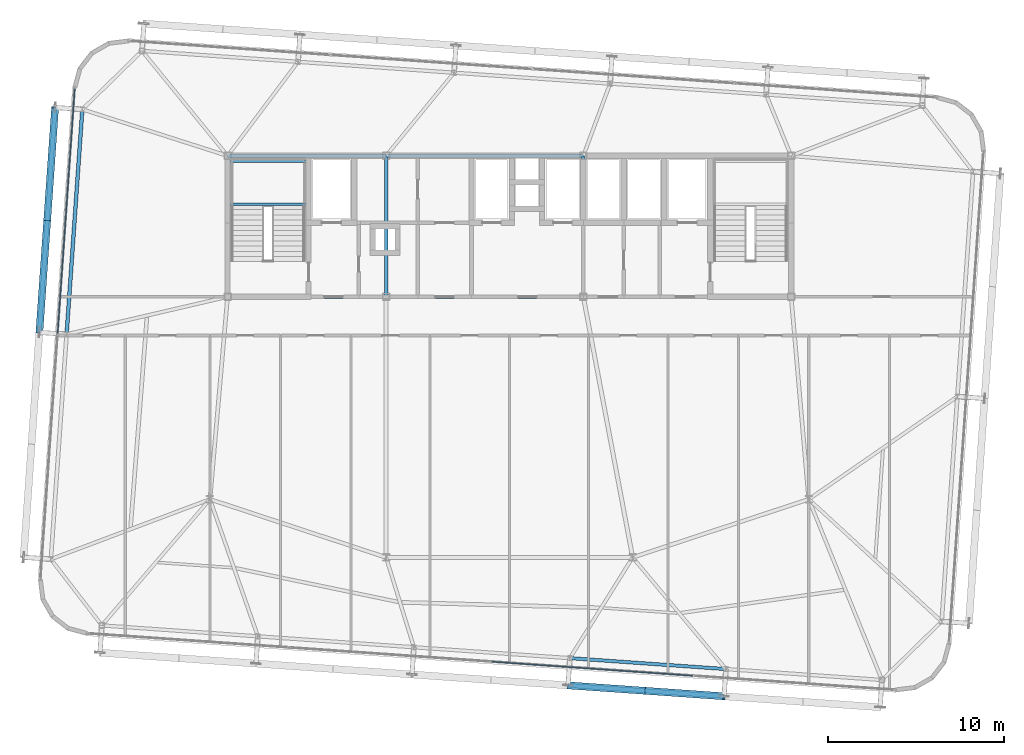
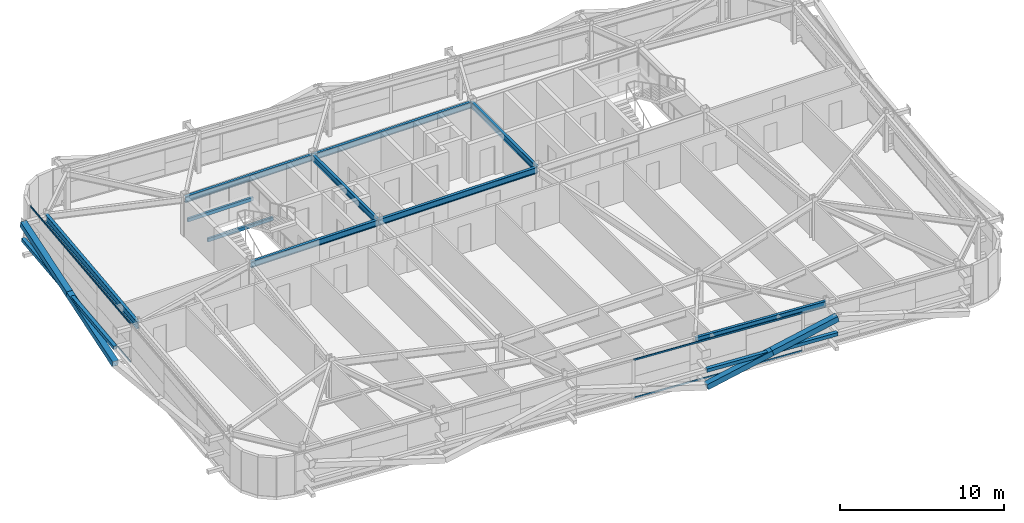
# One storey, part 12 of 39: 10 beams, 10 members, 2 elements without a shape of their own.
"""IFC4 building model written with IfcOpenShell, lengths in metres."""

import ifcopenshell
import ifcopenshell.guid

model = None  # the IFC model being written
_history = None  # IfcOwnerHistory: only IFC2X3 demands one
_inside = {}  # id of a spatial element -> (the spatial element, [elements in it])
_under = {}  # id of a project, library or spatial element -> (it, [spatial elements below it])
_declared = {}  # id of a project -> (the project, [libraries it declares])
_typed = {}  # id of a type object -> (the type object, [elements of that type])
_made_of = {}  # id of a material, layer set ... -> (it, [elements and type objects made of it])


def new_model(schema):
    """Start an empty IFC model of exactly this schema.

    Asked for "IFC4X3", IfcOpenShell would pick the latest addendum, in which some entities
    have other attributes; the version numbers below select the first issue.
    IFC2X3 requires an IfcOwnerHistory on every rooted entity: one is made here for all.
    """
    global model, _history
    if schema == "IFC4X3":
        model = ifcopenshell.file(schema_version=(4, 3, 0, 0))
    else:
        model = ifcopenshell.file(schema=schema)
    _inside.clear()
    _under.clear()
    _declared.clear()
    _typed.clear()
    _made_of.clear()
    _history = None
    if model.schema == "IFC2X3":
        org = make("IfcOrganization", Name="unknown")
        user = make(
            "IfcPersonAndOrganization",
            ThePerson=make("IfcPerson", FamilyName="unknown"),
            TheOrganization=org,
        )
        app = make(
            "IfcApplication",
            ApplicationDeveloper=org,
            Version="unknown",
            ApplicationFullName="unknown",
            ApplicationIdentifier="unknown",
        )
        _history = make(
            "IfcOwnerHistory",
            OwningUser=user,
            OwningApplication=app,
            ChangeAction="ADDED",
            CreationDate=0,
        )
    return model


def make(cls, **values):
    """One entity of the class cls with the attributes given. An attribute that is None is left unset."""
    return model.create_entity(
        cls, **{name: value for name, value in values.items() if value is not None}
    )


def rooted(cls, **values):
    """An entity with a GlobalId (a new one), such as an element, a storey or a relation."""
    return make(cls, GlobalId=ifcopenshell.guid.new(), OwnerHistory=_history, **values)


def si_unit(unit_type, name, prefix=None):
    """IfcSIUnit, for example si_unit("LENGTHUNIT", "METRE", prefix="MILLI")."""
    return make("IfcSIUnit", UnitType=unit_type, Prefix=prefix, Name=name)


def assignment(units):
    """IfcUnitAssignment: the units of a project."""
    return None if units is None else make("IfcUnitAssignment", Units=units)


def point(xyz):
    """IfcCartesianPoint."""
    return None if xyz is None else make("IfcCartesianPoint", Coordinates=xyz)


def direction(xyz):
    """IfcDirection."""
    return None if xyz is None else make("IfcDirection", DirectionRatios=xyz)


def frame(location, z_axis=None, x_axis=None):
    """IfcAxis2Placement3D, a coordinate frame: its origin and axes. An axis left out is left unset."""
    return make(
        "IfcAxis2Placement3D",
        Location=point(location),
        Axis=direction(z_axis),
        RefDirection=direction(x_axis),
    )


def frame_2d(location, x_axis=None):
    """IfcAxis2Placement2D, a coordinate frame in the plane: its origin and x axis."""
    return make(
        "IfcAxis2Placement2D", Location=point(location), RefDirection=direction(x_axis)
    )


def origin():
    """The frame at (0, 0, 0) with its axes left unset."""
    return frame((0.0, 0.0, 0.0))


def origin_2d():
    """The frame at (0, 0) in the plane with its x axis left unset."""
    return frame_2d((0.0, 0.0))


def place(relative_to, where):
    """IfcLocalPlacement: puts the frame where relative to a parent placement (None: the world)."""
    return make(
        "IfcLocalPlacement", PlacementRelTo=relative_to, RelativePlacement=where
    )


def context(
    kind, dimensions, precision=None, world=None, true_north=None, identifier=None
):
    """IfcGeometricRepresentationContext, for example the 3D "Model" context."""
    return make(
        "IfcGeometricRepresentationContext",
        ContextIdentifier=identifier,
        ContextType=kind,
        CoordinateSpaceDimension=dimensions,
        Precision=precision,
        WorldCoordinateSystem=world,
        TrueNorth=true_north,
    )


def subcontext(parent, identifier, kind, view, scale=None):
    """IfcGeometricRepresentationSubContext, for example "Body" below "Model"."""
    return make(
        "IfcGeometricRepresentationSubContext",
        ContextIdentifier=identifier,
        ContextType=kind,
        ParentContext=parent,
        TargetScale=scale,
        TargetView=view,
    )


def project(units=None, contexts=None):
    """IfcProject with its units and contexts."""
    return rooted(
        "IfcProject",
        Name="project",
        RepresentationContexts=contexts,
        UnitsInContext=assignment(units),
    )


def spatial(cls, under=None, at=None, **own):
    """A site, building, storey or space (cls), placed at a placement, below another one or the project."""
    s = rooted(cls, ObjectPlacement=at, **own)
    if under is not None:
        _under.setdefault(under.id(), (under, []))[1].append(s)
    return s


def profile(cls, at=None, kind="AREA", **sizes):
    """A parametric profile (cls). Its sizes go by their IFC names, for example OverallWidth=200.0."""
    return make(cls, ProfileType=kind, Position=at, **sizes)


def hollow_rectangle(**sizes):
    """IfcRectangleHollowProfileDef."""
    return profile("IfcRectangleHollowProfileDef", **sizes)


def i_section(**sizes):
    """IfcIShapeProfileDef."""
    return profile("IfcIShapeProfileDef", **sizes)


def extrude(swept, where, along, depth):
    """IfcExtrudedAreaSolid: the profile swept, set in the frame where, extruded along a direction by depth."""
    return make(
        "IfcExtrudedAreaSolid",
        SweptArea=swept,
        Position=where,
        ExtrudedDirection=direction(along),
        Depth=depth,
    )


def shape(context_of_items, identifier, shape_type, items):
    """IfcShapeRepresentation: the items that make up one representation, for example the "Body"."""
    return make(
        "IfcShapeRepresentation",
        ContextOfItems=context_of_items,
        RepresentationIdentifier=identifier,
        RepresentationType=shape_type,
        Items=items,
    )


def source(mapping_origin, context_of_items, identifier, shape_type, items):
    """IfcRepresentationMap: a shape defined once, which mapped items show again and again."""
    return make(
        "IfcRepresentationMap",
        MappingOrigin=mapping_origin,
        MappedRepresentation=shape(context_of_items, identifier, shape_type, items),
    )


def transform(
    local_origin,
    x_axis=None,
    y_axis=None,
    z_axis=None,
    scale=None,
    scale2=None,
    scale3=None,
    uniform=True,
):
    """IfcCartesianTransformationOperator3D, or its non-uniform kind. x_axis, y_axis, z_axis: its Axis1, 2, 3."""
    if uniform:
        return make(
            "IfcCartesianTransformationOperator3D",
            Axis1=direction(x_axis),
            Axis2=direction(y_axis),
            LocalOrigin=point(local_origin),
            Scale=scale,
            Axis3=direction(z_axis),
        )
    return make(
        "IfcCartesianTransformationOperator3DnonUniform",
        Axis1=direction(x_axis),
        Axis2=direction(y_axis),
        LocalOrigin=point(local_origin),
        Scale=scale,
        Axis3=direction(z_axis),
        Scale2=scale2,
        Scale3=scale3,
    )


def mapped(mapping_source, mapping_target):
    """IfcMappedItem: shows the shape of a source again, moved by a transform."""
    return make(
        "IfcMappedItem", MappingSource=mapping_source, MappingTarget=mapping_target
    )


def material(Name=None, Category=None):
    """IfcMaterial."""
    return make("IfcMaterial", Name=Name, Category=Category)


def layer(
    of_material, thickness, ventilated=None, Name=None, Category=None, Priority=None
):
    """IfcMaterialLayer: one layer of a wall or slab, of a material (None: an air gap)."""
    return make(
        "IfcMaterialLayer",
        Material=of_material,
        LayerThickness=thickness,
        IsVentilated=ventilated,
        Name=Name,
        Category=Category,
        Priority=Priority,
    )


def layer_set(layers, Name=None):
    """IfcMaterialLayerSet."""
    return make("IfcMaterialLayerSet", MaterialLayers=layers, LayerSetName=Name)


def material_profile(
    of_material, cross_section, Name=None, Category=None, Priority=None
):
    """IfcMaterialProfile: a cross section and its material."""
    return make(
        "IfcMaterialProfile",
        Name=Name,
        Material=of_material,
        Profile=cross_section,
        Priority=Priority,
        Category=Category,
    )


def profile_set(profiles, Name=None, composite=None):
    """IfcMaterialProfileSet."""
    return make(
        "IfcMaterialProfileSet",
        Name=Name,
        MaterialProfiles=profiles,
        CompositeProfile=composite,
    )


def made_of(thing, what):
    """Note that an element or type object is made of a material, layer set ...; save() writes the relation."""
    if what is not None:
        _made_of.setdefault(what.id(), (what, []))[1].append(thing)
    return thing


def type_object(cls, material=None, **own):
    """A type object (cls), such as IfcWallType, which elements share."""
    return made_of(rooted(cls, **own), material)


def element(
    cls,
    number,
    at=None,
    inside=None,
    cuts=None,
    type_object=None,
    material=None,
    context=None,
    identifier="Body",
    shape_type=None,
    held_by="IfcProductDefinitionShape",
    body=None,
    shapes=None,
    **own,
):
    """One element of the class cls, such as IfcWall. Its Tag is "e" and its number.

    at: its placement. inside: the storey or other place that contains it. cuts: it is an
    opening in that element (IfcRelVoidsElement). A single representation is given by context,
    identifier, shape_type and body (its items); several are given by shapes. held_by: the class
    of the entity that holds the representations. save() writes the other relations.
    """
    e = rooted(cls, Tag="e%d" % number, ObjectPlacement=at, **own)
    if body is not None:
        shapes = [shape(context, identifier, shape_type, body)]
    if shapes is not None:
        e.Representation = make(held_by, Representations=shapes)
    if inside is not None:
        _inside.setdefault(inside.id(), (inside, []))[1].append(e)
    if cuts is not None:
        rooted(
            "IfcRelVoidsElement", RelatingBuildingElement=cuts, RelatedOpeningElement=e
        )
    if type_object is not None:
        _typed.setdefault(type_object.id(), (type_object, []))[1].append(e)
    return made_of(e, material)


def aggregate(whole, parts):
    """IfcRelAggregates: a whole, such as a stair, and the parts it consists of."""
    return rooted("IfcRelAggregates", RelatingObject=whole, RelatedObjects=parts)


def save(model, path):
    """Write the relations noted so far, then the file.

    IfcRelAggregates (storeys below a building ...), IfcRelContainedInSpatialStructure (elements
    in a storey), IfcRelDefinesByType, IfcRelAssociatesMaterial and IfcRelDeclares: one each for
    every whole, place, type object, material and project.
    """
    for whole, parts in _under.values():
        aggregate(whole, parts)
    for where, things in _inside.values():
        rooted(
            "IfcRelContainedInSpatialStructure",
            RelatedElements=things,
            RelatingStructure=where,
        )
    for kind, things in _typed.values():
        rooted("IfcRelDefinesByType", RelatedObjects=things, RelatingType=kind)
    for what, things in _made_of.values():
        rooted("IfcRelAssociatesMaterial", RelatedObjects=things, RelatingMaterial=what)
    for by, libraries in _declared.values():
        rooted("IfcRelDeclares", RelatingContext=by, RelatedDefinitions=libraries)
    model.write(path)


model = new_model("IFC4")

# Units and contexts
model_context = context("Model", 3, precision=1e-05, world=origin(), true_north=direction((0.0, 1.0)))
body_context = subcontext(model_context, "Body", "Model", "MODEL_VIEW")
ifc_project = project(units=[si_unit("LENGTHUNIT", "METRE"), si_unit("AREAUNIT", "SQUARE_METRE"), si_unit("VOLUMEUNIT", "CUBIC_METRE"), si_unit("PLANEANGLEUNIT", "RADIAN"), si_unit("MASSUNIT", "GRAM", prefix="KILO")], contexts=[model_context])

# Site, building, storey
site_placement = place(None, origin())
site = spatial("IfcSite", under=ifc_project, at=site_placement, CompositionType="ELEMENT")
building_placement = place(site_placement, origin())
building = spatial("IfcBuilding", under=site, at=building_placement, Name="Taldren Reach Tower", CompositionType="ELEMENT")
storey_placement = place(building_placement, frame((0.0, 0.0, 161.35009765625)))
storey = spatial("IfcBuildingStorey", under=building, at=storey_placement, Name="L49", CompositionType="ELEMENT", Elevation=161.35009765625)

# Beams
ifc_material_1 = material(Name="Steel Gr 350 (350PLUS)", Category="steel")
ifc_material_profile_1 = material_profile(ifc_material_1, i_section(OverallWidth=0.19091796875, OverallDepth=0.4599609375, WebThickness=0.010009765625, FlangeThickness=0.01611328125, at=origin_2d()), Name="460UB82.1")
ifc_profile_set_1 = profile_set([ifc_material_profile_1], Name="Steel Gr 350 (350PLUS)")
beam_type_1 = type_object("IfcBeamType", Name="BM-UB460A", PredefinedType="BEAM", material=ifc_profile_set_1)
shared_shape_1 = source(origin(), body_context, "Body", "SweptSolid", [
    extrude(i_section(OverallWidth=0.19091796875, OverallDepth=0.4599609375, WebThickness=0.010009765625, FlangeThickness=0.01611328125, at=origin_2d()), origin(), (0.0, 0.0, 1.0), 9.0),
])
for number, where, z_axis, x_axis, name in (
    (1, (19.0, 24.0, 2.639892578125), (1.0, 0.0, 0.0), (0.0, 1.0, 0.0), "Core-spine girder L49-SP01"),
    (2, (19.0, 32.0, 2.639892578125), (1.0, 0.0, 0.0), (0.0, 1.0, 0.0), "Core-spine girder L49-SP04"),
):
    element("IfcBeam", number, at=place(storey_placement, frame(where, z_axis=z_axis, x_axis=x_axis)), inside=storey, type_object=beam_type_1, Name=name, PredefinedType="BEAM", context=body_context, shape_type="MappedRepresentation", body=[
        mapped(shared_shape_1, transform((0.0, 0.0, 0.0), scale=1.0)),
    ])
shared_shape_2 = source(origin(), body_context, "Body", "SweptSolid", [
    extrude(i_section(OverallWidth=0.19091796875, OverallDepth=0.4599609375, WebThickness=0.010009765625, FlangeThickness=0.01611328125, at=origin_2d()), origin(), (0.0, 0.0, 1.0), 11.199951171875),
])
for number, where, z_axis, x_axis, name in (
    (3, (28.0, 24.0, 2.639892578125), (1.0, 0.0, 0.0), (0.0, 1.0, 0.0), "Core-spine girder L49-SP02"),
    (4, (28.0, 32.0, 2.639892578125), (1.0, 0.0, 0.0), (0.0, 1.0, 0.0), "Core-spine girder L49-SP05"),
):
    element("IfcBeam", number, at=place(storey_placement, frame(where, z_axis=z_axis, x_axis=x_axis)), inside=storey, type_object=beam_type_1, Name=name, PredefinedType="BEAM", context=body_context, shape_type="MappedRepresentation", body=[
        mapped(shared_shape_2, transform((0.0, 0.0, 0.0), scale=1.0)),
    ])
shared_shape_3 = source(origin(), body_context, "Body", "SweptSolid", [
    extrude(i_section(OverallWidth=0.19091796875, OverallDepth=0.4599609375, WebThickness=0.010009765625, FlangeThickness=0.01611328125, at=origin_2d()), origin(), (0.0, 0.0, 1.0), 8.0),
])
for number, where, z_axis, x_axis, name in (
    (5, (28.0, 24.0, 2.639892578125), (0.0, 1.0, 0.0), (-1.0, 0.0, 0.0), "Core-spine girder L49-SP07"),
    (6, (39.199951171875, 24.0, 2.639892578125), (0.0, 1.0, 0.0), (-1.0, 0.0, 0.0), "Core-spine girder L49-SP08"),
):
    element("IfcBeam", number, at=place(storey_placement, frame(where, z_axis=z_axis, x_axis=x_axis)), inside=storey, type_object=beam_type_1, Name=name, PredefinedType="BEAM", context=body_context, shape_type="MappedRepresentation", body=[
        mapped(shared_shape_3, transform((0.0, 0.0, 0.0), scale=1.0)),
    ])
ifc_material_profile_2 = material_profile(ifc_material_1, i_section(OverallWidth=0.18994140625, OverallDepth=0.4541015625, WebThickness=0.008544921875, FlangeThickness=0.0126953125, at=origin_2d()), Name="460UB67.1")
ifc_profile_set_2 = profile_set([ifc_material_profile_2], Name="Steel Gr 350 (350PLUS)")
beam_type_2 = type_object("IfcBeamType", Name="SP-UB460B", PredefinedType="SPANDREL", material=ifc_profile_set_2)
shared_shape_4 = source(origin(), body_context, "Body", "SweptSolid", [
    extrude(i_section(OverallWidth=0.18994140625, OverallDepth=0.4541015625, WebThickness=0.008544921875, FlangeThickness=0.0126953125, at=origin_2d()), origin(), (0.0, 0.0, 1.0), 8.880126953125),
])
beam_1_placement = place(storey_placement, frame((38.438720703125, 3.480224609375, 2.642822265625), z_axis=(0.997562566276, -0.06977769246, 0.0), x_axis=(0.06977769246, 0.997562566276, 0.0)))
element("IfcBeam", 7, at=beam_1_placement, inside=storey, type_object=beam_type_2, Name="Perimeter spandrel B3 S4-S5 L49", PredefinedType="SPANDREL", context=body_context, shape_type="MappedRepresentation", body=[
    mapped(shared_shape_4, transform((0.0, 0.0, 0.0), scale=1.0)),
])
ifc_material_profile_3 = material_profile(ifc_material_1, i_section(OverallWidth=0.208984375, OverallDepth=0.528076171875, WebThickness=0.009521484375, FlangeThickness=0.01318359375, at=origin_2d()), Name="530UB82.0")
ifc_profile_set_3 = profile_set([ifc_material_profile_3], Name="Steel Gr 350 (350PLUS)")
beam_type_3 = type_object("IfcBeamType", Name="SP-UB530B", PredefinedType="SPANDREL", material=ifc_profile_set_3)
shared_shape_5 = source(origin(), body_context, "Body", "SweptSolid", [
    extrude(i_section(OverallWidth=0.208984375, OverallDepth=0.528076171875, WebThickness=0.009521484375, FlangeThickness=0.01318359375, at=origin_2d()), origin(), (0.0, 0.0, 1.0), 12.800048828125),
])
beam_2_placement = place(storey_placement, frame((10.754638671875, 34.63720703125, 2.60595703125), z_axis=(-0.069751876777, -0.9975643717, 0.0), x_axis=(0.9975643717, -0.069751876777, 0.0)))
element("IfcBeam", 8, at=beam_2_placement, inside=storey, type_object=beam_type_3, Name="Perimeter spandrel B3 W3-W2 L49", PredefinedType="SPANDREL", context=body_context, shape_type="MappedRepresentation", body=[
    mapped(shared_shape_5, transform((0.0, 0.0, 0.0), scale=1.0)),
])

# Members
ifc_material_2 = material(Name="Steel Gr 350 (C350L0)", Category="steel")
ifc_material_profile_4 = material_profile(ifc_material_2, hollow_rectangle(XDim=0.25, YDim=0.25, WallThickness=0.010009765625, at=origin_2d()), Name="250x250x10.0SHS")
ifc_profile_set_4 = profile_set([ifc_material_profile_4], Name="Steel Gr 350 (C350L0)")
member_type_1 = type_object("IfcMemberType", Name="MB-POST250", PredefinedType="POST", material=ifc_profile_set_4)
shared_shape_6 = source(origin(), body_context, "Body", "SweptSolid", [
    extrude(hollow_rectangle(XDim=0.25, YDim=0.25, WallThickness=0.010009765625, at=origin_2d()), origin(), (0.0, 0.0, 1.0), 8.880126953125),
])
member_1_placement = place(storey_placement, frame((38.33056640625, 1.933837890625, 1.40478515625), z_axis=(0.997564479639, -0.069750333063, 0.0), x_axis=(0.069750333063, 0.997564479639, 0.0)))
element("IfcMember", 9, at=member_1_placement, inside=storey, type_object=member_type_1, Name="Exoskeleton mid-height ring chord B3-S4 L49", PredefinedType="POST", context=body_context, shape_type="MappedRepresentation", body=[
    mapped(shared_shape_6, transform((0.0, 0.0, 0.0), scale=1.0)),
])
shared_shape_7 = source(origin(), body_context, "Body", "SweptSolid", [
    extrude(hollow_rectangle(XDim=0.25, YDim=0.25, WallThickness=0.010009765625, at=origin_2d()), origin(), (0.0, 0.0, 1.0), 12.800048828125),
])
member_2_placement = place(storey_placement, frame((8.3154296875, 21.9765625, 1.40478515625), z_axis=(0.069770857464, 0.997563044348, 0.0), x_axis=(-0.997563044348, 0.069770857464, 0.0)))
element("IfcMember", 10, at=member_2_placement, inside=storey, type_object=member_type_1, Name="Exoskeleton mid-height ring chord B3-W2 L49", PredefinedType="POST", context=body_context, shape_type="MappedRepresentation", body=[
    mapped(shared_shape_7, transform((0.0, 0.0, 0.0), scale=1.0)),
])
ifc_material_3 = material(Name="Steel Gr 450 (C450L0)", Category="steel")
ifc_material_profile_5 = material_profile(ifc_material_3, hollow_rectangle(XDim=0.409912109375, YDim=0.409912109375, WallThickness=0.01611328125, at=origin_2d()), Name="410x410x16.0SHS")
ifc_profile_set_5 = profile_set([ifc_material_profile_5], Name="Steel Gr 450 (C450L0)")
member_type_2 = type_object("IfcMemberType", Name="MB-EXO406", PredefinedType="BRACE", material=ifc_profile_set_5)
shared_shape_8 = source(origin(), body_context, "Body", "SweptSolid", [
    extrude(hollow_rectangle(XDim=0.409912109375, YDim=0.409912109375, WallThickness=0.01611328125, at=origin_2d()), origin(), (0.0, 0.0, 1.0), 4.595458984375),
])
for number, where, z_axis, x_axis, name in (
    (11, (38.33056640625, 1.933837890625, 0.219970703125), (0.963839535663, -0.0673657001, 0.257827872703), (0.069722973508, 0.997566392259, 0.0), "Exoskeleton Diagrid Brace B3-S4 L49"),
    (12, (42.759765625, 1.624267578125, 1.40478515625), (0.96382288138, -0.067417662687, 0.257876544274), (0.06977769246, 0.997562566276, 0.0), "Exoskeleton Diagrid Brace B3-S4 L49"),
):
    element("IfcMember", number, at=place(storey_placement, frame(where, z_axis=z_axis, x_axis=x_axis)), inside=storey, type_object=member_type_2, Name=name, PredefinedType="BRACE", context=body_context, shape_type="MappedRepresentation", body=[
        mapped(shared_shape_8, transform((0.0, 0.0, 0.0), scale=1.0)),
    ])
shared_shape_9 = source(origin(), body_context, "Body", "SweptSolid", [
    extrude(hollow_rectangle(XDim=0.409912109375, YDim=0.409912109375, WallThickness=0.01611328125, at=origin_2d()), origin(), (0.0, 0.0, 1.0), 6.5087890625),
])
member_3_placement = place(storey_placement, frame((8.761962890625, 28.36083984375, 1.40478515625), z_axis=(0.06860340807, 0.980889953217, 0.182067218573), x_axis=(-0.997563137195, 0.069769529958, 0.0)))
element("IfcMember", 13, at=member_3_placement, inside=storey, type_object=member_type_2, Name="Exoskeleton Diagrid Brace B3-W2 L49", PredefinedType="BRACE", context=body_context, shape_type="MappedRepresentation", body=[
    mapped(shared_shape_9, transform((0.0, 0.0, 0.0), scale=1.0)),
])
shared_shape_10 = source(origin(), body_context, "Body", "SweptSolid", [
    extrude(hollow_rectangle(XDim=0.409912109375, YDim=0.409912109375, WallThickness=0.01611328125, at=origin_2d()), origin(), (0.0, 0.0, 1.0), 6.508544921875),
])
member_4_placement = place(storey_placement, frame((8.3154296875, 21.9765625, 0.219970703125), z_axis=(0.068606400719, 0.980895231712, 0.182037650459), x_axis=(-0.997562951496, 0.069772185021, 0.0)))
element("IfcMember", 14, at=member_4_placement, inside=storey, type_object=member_type_2, Name="Exoskeleton Diagrid Brace B3-W2 L49", PredefinedType="BRACE", context=body_context, shape_type="MappedRepresentation", body=[
    mapped(shared_shape_10, transform((0.0, 0.0, 0.0), scale=1.0)),
])

# Curtain wall, members
ifc_material_4 = material(Name="Aluminium and Low-E Glass Unitised System", Category="aluminium")
ifc_layer = layer(ifc_material_4, 0.159912109375)
ifc_layer_set = layer_set([ifc_layer], Name="Aluminium and Low-E Glass Unitised System")
curtain_wall_type = type_object("IfcCurtainWallType", Name="CW-SYS-4", PredefinedType="NOTDEFINED", material=ifc_layer_set)
curtain_wall_1_placement = place(storey_placement, origin())
curtain_wall_1 = element("IfcCurtainWall", 15, at=curtain_wall_1_placement, inside=storey, type_object=curtain_wall_type, Name="Unitised curtain wall CW-L49-S", PredefinedType="NOTDEFINED")
ifc_material_5 = material(Name="Anodised Aluminium 6063-T6", Category="aluminium")
ifc_material_profile_6 = material_profile(ifc_material_5, hollow_rectangle(XDim=0.054931640625, YDim=0.1201171875, WallThickness=0.0029296875, at=origin_2d()), Name="ALU-120x55x3RHS")
ifc_profile_set_6 = profile_set([ifc_material_profile_6], Name="Anodised Aluminium 6063-T6")
member_type_3 = type_object("IfcMemberType", Name="CW-TRN-135", PredefinedType="USERDEFINED", material=ifc_profile_set_6)
shared_shape_11 = source(origin(), body_context, "Body", "SweptSolid", [
    extrude(hollow_rectangle(XDim=0.054931640625, YDim=0.1201171875, WallThickness=0.0029296875, at=origin_2d()), origin(), (0.0, 0.0, 1.0), 11.429931640625),
])
member_5_placement = place(storey_placement, frame((34.0087890625, 3.278564453125, 0.02734375), z_axis=(0.997563740938, -0.069760897114, 0.0), x_axis=(0.069760897114, 0.997563740938, 0.0)))
member_5 = element("IfcMember", 16, at=member_5_placement, type_object=member_type_3, Name="CW-4 transom 3.1", ObjectType="TRANSOM", PredefinedType="USERDEFINED", context=body_context, shape_type="MappedRepresentation", body=[
    mapped(shared_shape_11, transform((0.0, 0.0, 0.0), scale=1.0)),
])
member_6_placement = place(storey_placement, frame((34.0087890625, 3.278564453125, 2.84228515625), z_axis=(0.997563740938, -0.069760897114, 0.0), x_axis=(0.069760897114, 0.997563740938, 0.0)))
member_6 = element("IfcMember", 17, at=member_6_placement, type_object=member_type_3, Name="CW-4 transom 3.2", ObjectType="TRANSOM", PredefinedType="USERDEFINED", context=body_context, shape_type="MappedRepresentation", body=[
    mapped(shared_shape_11, transform((0.0, 0.0, 0.0), scale=1.0)),
])
aggregate(curtain_wall_1, [member_5, member_6])

curtain_wall_2_placement = place(storey_placement, origin())
curtain_wall_2 = element("IfcCurtainWall", 18, at=curtain_wall_2_placement, inside=storey, type_object=curtain_wall_type, Name="Unitised curtain wall CW-L49-W", PredefinedType="NOTDEFINED")
shared_shape_12 = source(origin(), body_context, "Body", "SweptSolid", [
    extrude(hollow_rectangle(XDim=0.054931640625, YDim=0.1201171875, WallThickness=0.0029296875, at=origin_2d()), origin(), (0.0, 0.0, 1.0), 13.895263671875),
])
member_7_placement = place(storey_placement, frame((10.32470703125, 35.800048828125, 0.02734375), z_axis=(-0.069753594456, -0.997564251595, 0.0), x_axis=(0.997564251595, -0.069753594456, 0.0)))
member_7 = element("IfcMember", 19, at=member_7_placement, type_object=member_type_3, Name="CW-4 transom 1.1", ObjectType="TRANSOM", PredefinedType="USERDEFINED", context=body_context, shape_type="MappedRepresentation", body=[
    mapped(shared_shape_12, transform((0.0, 0.0, 0.0), scale=1.0)),
])
member_8_placement = place(storey_placement, frame((10.32470703125, 35.800048828125, 2.84228515625), z_axis=(-0.069753594456, -0.997564251595, 0.0), x_axis=(0.997564251595, -0.069753594456, 0.0)))
member_8 = element("IfcMember", 20, at=member_8_placement, type_object=member_type_3, Name="CW-4 transom 1.2", ObjectType="TRANSOM", PredefinedType="USERDEFINED", context=body_context, shape_type="MappedRepresentation", body=[
    mapped(shared_shape_12, transform((0.0, 0.0, 0.0), scale=1.0)),
])
aggregate(curtain_wall_2, [member_7, member_8])

# Beams
ifc_material_profile_7 = material_profile(ifc_material_2, hollow_rectangle(XDim=0.14990234375, YDim=0.25, WallThickness=0.009033203125, at=origin_2d()), Name="250x150x9.0RHS")
ifc_profile_set_7 = profile_set([ifc_material_profile_7], Name="Steel Gr 350 (C350L0)")
beam_type_4 = type_object("IfcBeamType", Name="LN-RHS250", PredefinedType="LINTEL", material=ifc_profile_set_7)
shared_shape_13 = source(origin(), body_context, "Body", "SweptSolid", [
    extrude(hollow_rectangle(XDim=0.14990234375, YDim=0.25, WallThickness=0.009033203125, at=origin_2d()), origin(), (0.0, 0.0, 1.0), 4.60009765625),
])
for number, where, z_axis, x_axis, name in (
    (21, (19.0, 29.2548828125, 1.27001953125), (1.0, 0.0, 0.0), (0.0, 1.0, 0.0), "Stair half-landing support beam ST1-L49-1"),
    (22, (19.0, 31.699951171875, 1.27001953125), (1.0, 0.0, 0.0), (0.0, 1.0, 0.0), "Stair half-landing support beam ST1-L49-2"),
):
    element("IfcBeam", number, at=place(storey_placement, frame(where, z_axis=z_axis, x_axis=x_axis)), inside=storey, type_object=beam_type_4, Name=name, PredefinedType="LINTEL", context=body_context, shape_type="MappedRepresentation", body=[
        mapped(shared_shape_13, transform((0.0, 0.0, 0.0), scale=1.0)),
    ])

save(model, "model.ifc")
